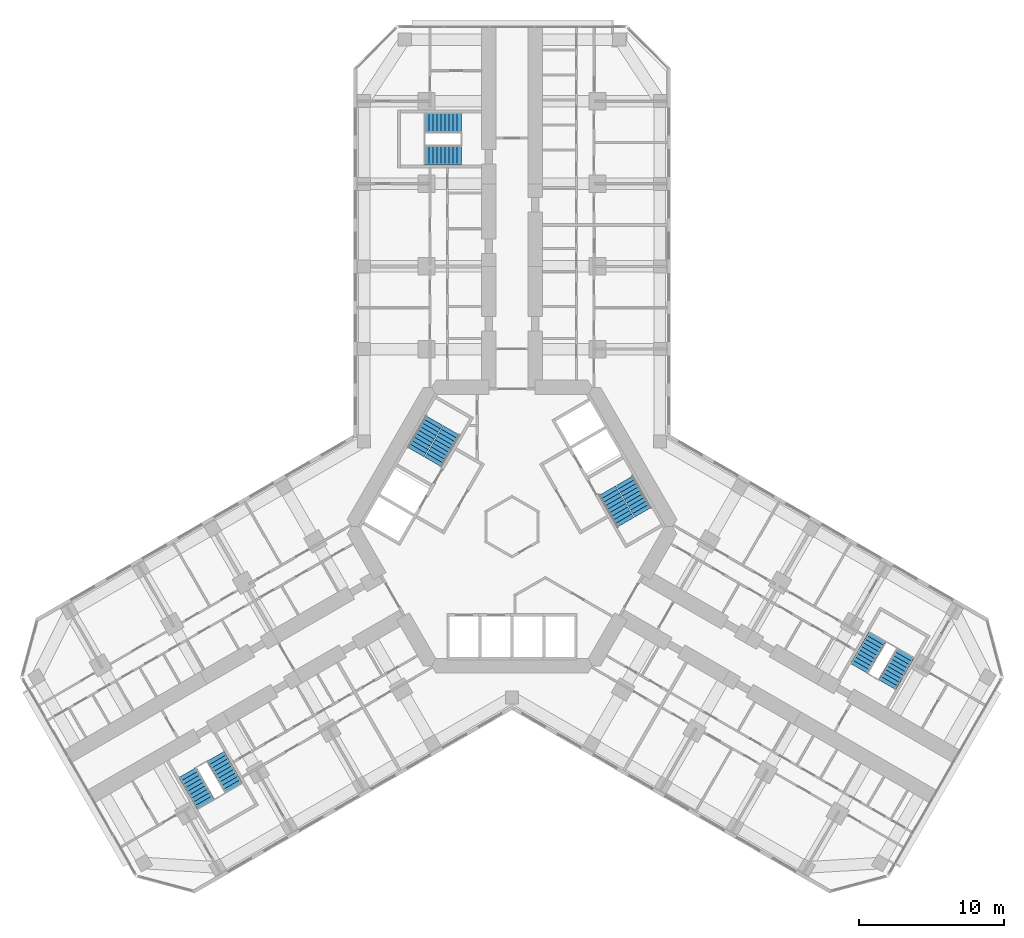
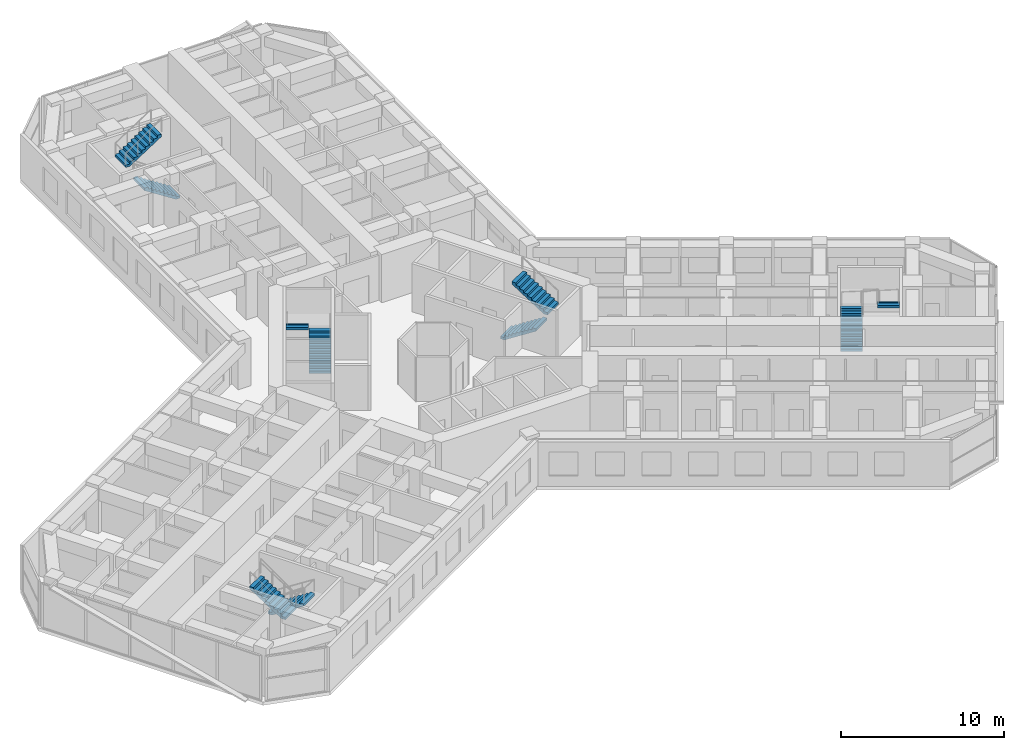
# One storey, part 20 of 21: 10 stair flights, 5 elements without a shape of their own.
"""IFC4 building model written with IfcOpenShell, lengths in metres."""

from ifc_helpers import new_model, si_unit, direction, frame, origin, place, context, subcontext, project, spatial, polyline, outline, extrude, material, type_object, element, aggregate, save


model = new_model("IFC4")

# Units and contexts
model_context = context("Model", 3, precision=1e-05, world=origin(), true_north=direction((0.0, 1.0)))
body_context = subcontext(model_context, "Body", "Model", "MODEL_VIEW")
ifc_project = project(units=[si_unit("LENGTHUNIT", "METRE"), si_unit("AREAUNIT", "SQUARE_METRE"), si_unit("VOLUMEUNIT", "CUBIC_METRE"), si_unit("PLANEANGLEUNIT", "RADIAN"), si_unit("MASSUNIT", "GRAM", prefix="KILO")], contexts=[model_context])

# Site, building, storey
site_placement = place(None, origin())
site = spatial("IfcSite", under=ifc_project, at=site_placement, CompositionType="ELEMENT")
building_placement = place(site_placement, origin())
building = spatial("IfcBuilding", under=site, at=building_placement, Name="Kosmar Iwan School Tower", CompositionType="ELEMENT")
storey_placement = place(building_placement, frame((0.0, 0.0, 80.800048828125)))
storey = spatial("IfcBuildingStorey", under=building, at=storey_placement, Name="L19", CompositionType="ELEMENT", Elevation=80.800048828125)

# Stair, stair flights
ifc_material_1 = material(Name="Concrete C35/45", Category="concrete")
stair_type_1 = type_object("IfcStairType", Name="Escape stair 3600", PredefinedType="HALF_TURN_STAIR", material=ifc_material_1)
stair_1_placement = place(storey_placement, origin())
stair_1 = element("IfcStair", 1, at=stair_1_placement, inside=storey, type_object=stair_type_1, Name="Stair WS1 L19", PredefinedType="HALF_TURN_STAIR")
ifc_material_2 = material(Name="Concrete C35/45", Category="concrete")
stair_flight_type_1 = type_object("IfcStairFlightType", Name="Escape stair flight 1350", PredefinedType="STRAIGHT", material=ifc_material_2)
stair_flight_1_placement = place(storey_placement, frame((-3.5, 25.625, 0.0), z_axis=(0.0, 0.0, 1.0), x_axis=(-1.0, 0.0, 0.0)))
stair_flight_1 = element("IfcStairFlight", 2, at=stair_flight_1_placement, type_object=stair_flight_type_1, Name="WS1 flight 1", NumberOfRisers=10, NumberOfTreads=9, PredefinedType="STRAIGHT", RiserHeight=0.18, TreadLength=0.28, context=body_context, shape_type="SweptSolid", body=[
    extrude(outline(polyline([(0.0, 0.0), (0.0, 0.179931640625), (0.280029296875, 0.179931640625), (0.280029296875, 0.360107421875), (0.56005859375, 0.360107421875), (0.56005859375, 0.5400390625), (0.840087890625, 0.5400390625), (0.840087890625, 0.719970703125), (1.1201171875, 0.719970703125), (1.1201171875, 0.89990234375), (1.39990234375, 0.89990234375), (1.39990234375, 1.080078125), (1.679931640625, 1.080078125), (1.679931640625, 1.260009765625), (1.9599609375, 1.260009765625), (1.9599609375, 1.43994140625), (2.239990234375, 1.43994140625), (2.239990234375, 1.6201171875), (2.52001953125, 1.6201171875), (2.52001953125, 1.800048828125), (2.52001953125, 1.44189453125), (0.277099609375, 0.0), (0.0, 0.0)])), frame((0.0, 0.675048828125, 0.0), z_axis=(0.0, -1.0, 0.0), x_axis=(1.0, 0.0, 0.0)), (0.0, 0.0, 1.0), 1.35009765625),
])
stair_flight_2_placement = place(storey_placement, frame((-6.02001953125, 27.875, 1.800048828125), z_axis=(0.0, 0.0, 1.0), x_axis=(1.0, 0.0, 0.0)))
stair_flight_2 = element("IfcStairFlight", 3, at=stair_flight_2_placement, type_object=stair_flight_type_1, Name="WS1 flight 2", NumberOfRisers=10, NumberOfTreads=9, PredefinedType="STRAIGHT", RiserHeight=0.18, TreadLength=0.28, context=body_context, shape_type="SweptSolid", body=[
    extrude(outline(polyline([(0.0, 0.0), (0.0, 0.179931640625), (0.280029296875, 0.179931640625), (0.280029296875, 0.360107421875), (0.56005859375, 0.360107421875), (0.56005859375, 0.5400390625), (0.840087890625, 0.5400390625), (0.840087890625, 0.719970703125), (1.1201171875, 0.719970703125), (1.1201171875, 0.89990234375), (1.39990234375, 0.89990234375), (1.39990234375, 1.080078125), (1.679931640625, 1.080078125), (1.679931640625, 1.260009765625), (1.9599609375, 1.260009765625), (1.9599609375, 1.43994140625), (2.239990234375, 1.43994140625), (2.239990234375, 1.6201171875), (2.52001953125, 1.6201171875), (2.52001953125, 1.800048828125), (2.52001953125, 1.44189453125), (0.277099609375, 0.0), (0.0, 0.0)])), frame((0.0, 0.675048828125, 0.0), z_axis=(0.0, -1.0, 0.0), x_axis=(1.0, 0.0, 0.0)), (0.0, 0.0, 1.0), 1.35009765625),
])
aggregate(stair_1, [stair_flight_1, stair_flight_2])

stair_2_placement = place(storey_placement, origin())
stair_2 = element("IfcStair", 4, at=stair_2_placement, inside=storey, type_object=stair_type_1, Name="Stair WS2 L19", PredefinedType="HALF_TURN_STAIR")
stair_flight_3_placement = place(storey_placement, frame((-20.44189453125, -15.843505859375, 0.0), z_axis=(0.0, 0.0, 1.0), x_axis=(0.5, -0.866025403784, 0.0)))
stair_flight_3 = element("IfcStairFlight", 5, at=stair_flight_3_placement, type_object=stair_flight_type_1, Name="WS2 flight 1", NumberOfRisers=10, NumberOfTreads=9, PredefinedType="STRAIGHT", RiserHeight=0.18, TreadLength=0.28, context=body_context, shape_type="SweptSolid", body=[
    extrude(outline(polyline([(0.0, 0.0), (0.0, 0.179931640625), (0.280029296875, 0.179931640625), (0.280029296875, 0.360107421875), (0.56005859375, 0.360107421875), (0.56005859375, 0.5400390625), (0.840087890625, 0.5400390625), (0.840087890625, 0.719970703125), (1.1201171875, 0.719970703125), (1.1201171875, 0.89990234375), (1.39990234375, 0.89990234375), (1.39990234375, 1.080078125), (1.679931640625, 1.080078125), (1.679931640625, 1.260009765625), (1.9599609375, 1.260009765625), (1.9599609375, 1.43994140625), (2.239990234375, 1.43994140625), (2.239990234375, 1.6201171875), (2.52001953125, 1.6201171875), (2.52001953125, 1.800048828125), (2.52001953125, 1.44189453125), (0.277099609375, 0.0), (0.0, 0.0)])), frame((0.0, 0.675048828125, 0.0), z_axis=(0.0, -1.0, 0.0), x_axis=(1.0, 0.0, 0.0)), (0.0, 0.0, 1.0), 1.35009765625),
])
stair_flight_4_placement = place(storey_placement, frame((-21.13037109375, -19.15087890625, 1.800048828125), z_axis=(0.0, 0.0, 1.0), x_axis=(-0.5, 0.866025403784, 0.0)))
stair_flight_4 = element("IfcStairFlight", 6, at=stair_flight_4_placement, type_object=stair_flight_type_1, Name="WS2 flight 2", NumberOfRisers=10, NumberOfTreads=9, PredefinedType="STRAIGHT", RiserHeight=0.18, TreadLength=0.28, context=body_context, shape_type="SweptSolid", body=[
    extrude(outline(polyline([(0.0, 0.0), (0.0, 0.179931640625), (0.280029296875, 0.179931640625), (0.280029296875, 0.360107421875), (0.56005859375, 0.360107421875), (0.56005859375, 0.5400390625), (0.840087890625, 0.5400390625), (0.840087890625, 0.719970703125), (1.1201171875, 0.719970703125), (1.1201171875, 0.89990234375), (1.39990234375, 0.89990234375), (1.39990234375, 1.080078125), (1.679931640625, 1.080078125), (1.679931640625, 1.260009765625), (1.9599609375, 1.260009765625), (1.9599609375, 1.43994140625), (2.239990234375, 1.43994140625), (2.239990234375, 1.6201171875), (2.52001953125, 1.6201171875), (2.52001953125, 1.800048828125), (2.52001953125, 1.44189453125), (0.277099609375, 0.0), (0.0, 0.0)])), frame((0.0, 0.675048828125, 0.0), z_axis=(0.0, -1.0, 0.0), x_axis=(1.0, 0.0, 0.0)), (0.0, 0.0, 1.0), 1.35009765625),
])
aggregate(stair_2, [stair_flight_3, stair_flight_4])

stair_3_placement = place(storey_placement, origin())
stair_3 = element("IfcStair", 7, at=stair_3_placement, inside=storey, type_object=stair_type_1, Name="Stair WS3 L19", PredefinedType="HALF_TURN_STAIR")
stair_flight_5_placement = place(storey_placement, frame((23.94189453125, -9.781494140625, 0.0), z_axis=(0.0, 0.0, 1.0), x_axis=(0.5, 0.866025403784, 0.0)))
stair_flight_5 = element("IfcStairFlight", 8, at=stair_flight_5_placement, type_object=stair_flight_type_1, Name="WS3 flight 1", NumberOfRisers=10, NumberOfTreads=9, PredefinedType="STRAIGHT", RiserHeight=0.18, TreadLength=0.28, context=body_context, shape_type="SweptSolid", body=[
    extrude(outline(polyline([(0.0, 0.0), (0.0, 0.179931640625), (0.280029296875, 0.179931640625), (0.280029296875, 0.360107421875), (0.56005859375, 0.360107421875), (0.56005859375, 0.5400390625), (0.840087890625, 0.5400390625), (0.840087890625, 0.719970703125), (1.1201171875, 0.719970703125), (1.1201171875, 0.89990234375), (1.39990234375, 0.89990234375), (1.39990234375, 1.080078125), (1.679931640625, 1.080078125), (1.679931640625, 1.260009765625), (1.9599609375, 1.260009765625), (1.9599609375, 1.43994140625), (2.239990234375, 1.43994140625), (2.239990234375, 1.6201171875), (2.52001953125, 1.6201171875), (2.52001953125, 1.800048828125), (2.52001953125, 1.44189453125), (0.277099609375, 0.0), (0.0, 0.0)])), frame((0.0, 0.675048828125, 0.0), z_axis=(0.0, -1.0, 0.0), x_axis=(1.0, 0.0, 0.0)), (0.0, 0.0, 1.0), 1.35009765625),
])
stair_flight_6_placement = place(storey_placement, frame((27.150390625, -8.72412109375, 1.800048828125), z_axis=(0.0, 0.0, 1.0), x_axis=(-0.5, -0.866025403784, 0.0)))
stair_flight_6 = element("IfcStairFlight", 9, at=stair_flight_6_placement, type_object=stair_flight_type_1, Name="WS3 flight 2", NumberOfRisers=10, NumberOfTreads=9, PredefinedType="STRAIGHT", RiserHeight=0.18, TreadLength=0.28, context=body_context, shape_type="SweptSolid", body=[
    extrude(outline(polyline([(0.0, 0.0), (0.0, 0.179931640625), (0.280029296875, 0.179931640625), (0.280029296875, 0.360107421875), (0.56005859375, 0.360107421875), (0.56005859375, 0.5400390625), (0.840087890625, 0.5400390625), (0.840087890625, 0.719970703125), (1.1201171875, 0.719970703125), (1.1201171875, 0.89990234375), (1.39990234375, 0.89990234375), (1.39990234375, 1.080078125), (1.679931640625, 1.080078125), (1.679931640625, 1.260009765625), (1.9599609375, 1.260009765625), (1.9599609375, 1.43994140625), (2.239990234375, 1.43994140625), (2.239990234375, 1.6201171875), (2.52001953125, 1.6201171875), (2.52001953125, 1.800048828125), (2.52001953125, 1.44189453125), (0.277099609375, 0.0), (0.0, 0.0)])), frame((0.0, 0.675048828125, 0.0), z_axis=(0.0, -1.0, 0.0), x_axis=(1.0, 0.0, 0.0)), (0.0, 0.0, 1.0), 1.35009765625),
])
aggregate(stair_3, [stair_flight_5, stair_flight_6])

ifc_material_3 = material(Name="Concrete C35/45", Category="concrete")
stair_type_2 = type_object("IfcStairType", Name="Core stair 2750", PredefinedType="HALF_TURN_STAIR", material=ifc_material_3)
stair_4_placement = place(storey_placement, origin())
stair_4 = element("IfcStair", 10, at=stair_4_placement, inside=storey, type_object=stair_type_2, Name="Stair ST2 L19", PredefinedType="HALF_TURN_STAIR")
ifc_material_4 = material(Name="Concrete C35/45", Category="concrete")
stair_flight_type_2 = type_object("IfcStairFlightType", Name="Stair flight 1350", PredefinedType="STRAIGHT", material=ifc_material_4)
stair_flight_7_placement = place(storey_placement, frame((-5.42724609375, 4.44970703125, 0.0), z_axis=(0.0, 0.0, 1.0), x_axis=(0.5, 0.866025403784, 0.0)))
stair_flight_7 = element("IfcStairFlight", 11, at=stair_flight_7_placement, type_object=stair_flight_type_2, Name="ST2 flight 1", NumberOfRisers=10, NumberOfTreads=9, PredefinedType="STRAIGHT", RiserHeight=0.18, TreadLength=0.28, context=body_context, shape_type="SweptSolid", body=[
    extrude(outline(polyline([(0.0, 0.0), (0.0, 0.179931640625), (0.280029296875, 0.179931640625), (0.280029296875, 0.360107421875), (0.56005859375, 0.360107421875), (0.56005859375, 0.5400390625), (0.840087890625, 0.5400390625), (0.840087890625, 0.719970703125), (1.1201171875, 0.719970703125), (1.1201171875, 0.89990234375), (1.39990234375, 0.89990234375), (1.39990234375, 1.080078125), (1.679931640625, 1.080078125), (1.679931640625, 1.260009765625), (1.9599609375, 1.260009765625), (1.9599609375, 1.43994140625), (2.239990234375, 1.43994140625), (2.239990234375, 1.6201171875), (2.52001953125, 1.6201171875), (2.52001953125, 1.800048828125), (2.52001953125, 1.44189453125), (0.277099609375, 0.0), (0.0, 0.0)])), frame((0.0, 0.675048828125, 0.0), z_axis=(0.0, -1.0, 0.0), x_axis=(1.0, 0.0, 0.0)), (0.0, 0.0, 1.0), 1.35009765625),
])
stair_flight_8_placement = place(storey_placement, frame((-5.379638671875, 7.33203125, 1.800048828125), z_axis=(0.0, 0.0, 1.0), x_axis=(-0.5, -0.866025403784, 0.0)))
stair_flight_8 = element("IfcStairFlight", 12, at=stair_flight_8_placement, type_object=stair_flight_type_2, Name="ST2 flight 2", NumberOfRisers=10, NumberOfTreads=9, PredefinedType="STRAIGHT", RiserHeight=0.18, TreadLength=0.28, context=body_context, shape_type="SweptSolid", body=[
    extrude(outline(polyline([(0.0, 0.0), (0.0, 0.179931640625), (0.280029296875, 0.179931640625), (0.280029296875, 0.360107421875), (0.56005859375, 0.360107421875), (0.56005859375, 0.5400390625), (0.840087890625, 0.5400390625), (0.840087890625, 0.719970703125), (1.1201171875, 0.719970703125), (1.1201171875, 0.89990234375), (1.39990234375, 0.89990234375), (1.39990234375, 1.080078125), (1.679931640625, 1.080078125), (1.679931640625, 1.260009765625), (1.9599609375, 1.260009765625), (1.9599609375, 1.43994140625), (2.239990234375, 1.43994140625), (2.239990234375, 1.6201171875), (2.52001953125, 1.6201171875), (2.52001953125, 1.800048828125), (2.52001953125, 1.44189453125), (0.277099609375, 0.0), (0.0, 0.0)])), frame((0.0, 0.675048828125, 0.0), z_axis=(0.0, -1.0, 0.0), x_axis=(1.0, 0.0, 0.0)), (0.0, 0.0, 1.0), 1.35009765625),
])
aggregate(stair_4, [stair_flight_7, stair_flight_8])

stair_5_placement = place(storey_placement, origin())
stair_5 = element("IfcStair", 13, at=stair_5_placement, inside=storey, type_object=stair_type_2, Name="Stair ST1 L19", PredefinedType="HALF_TURN_STAIR")
stair_flight_9_placement = place(storey_placement, frame((6.567138671875, 2.475341796875, 0.0), z_axis=(0.0, 0.0, 1.0), x_axis=(0.5, -0.866025403784, 0.0)))
stair_flight_9 = element("IfcStairFlight", 14, at=stair_flight_9_placement, type_object=stair_flight_type_2, Name="ST1 flight 1", NumberOfRisers=10, NumberOfTreads=9, PredefinedType="STRAIGHT", RiserHeight=0.18, TreadLength=0.28, context=body_context, shape_type="SweptSolid", body=[
    extrude(outline(polyline([(0.0, 0.0), (0.0, 0.179931640625), (0.280029296875, 0.179931640625), (0.280029296875, 0.360107421875), (0.56005859375, 0.360107421875), (0.56005859375, 0.5400390625), (0.840087890625, 0.5400390625), (0.840087890625, 0.719970703125), (1.1201171875, 0.719970703125), (1.1201171875, 0.89990234375), (1.39990234375, 0.89990234375), (1.39990234375, 1.080078125), (1.679931640625, 1.080078125), (1.679931640625, 1.260009765625), (1.9599609375, 1.260009765625), (1.9599609375, 1.43994140625), (2.239990234375, 1.43994140625), (2.239990234375, 1.6201171875), (2.52001953125, 1.6201171875), (2.52001953125, 1.800048828125), (2.52001953125, 1.44189453125), (0.277099609375, 0.0), (0.0, 0.0)])), frame((0.0, 0.675048828125, 0.0), z_axis=(0.0, -1.0, 0.0), x_axis=(1.0, 0.0, 0.0)), (0.0, 0.0, 1.0), 1.35009765625),
])
stair_flight_10_placement = place(storey_placement, frame((9.03955078125, 0.992919921875, 1.800048828125), z_axis=(0.0, 0.0, 1.0), x_axis=(-0.5, 0.866025403784, 0.0)))
stair_flight_10 = element("IfcStairFlight", 15, at=stair_flight_10_placement, type_object=stair_flight_type_2, Name="ST1 flight 2", NumberOfRisers=10, NumberOfTreads=9, PredefinedType="STRAIGHT", RiserHeight=0.18, TreadLength=0.28, context=body_context, shape_type="SweptSolid", body=[
    extrude(outline(polyline([(0.0, 0.0), (0.0, 0.179931640625), (0.280029296875, 0.179931640625), (0.280029296875, 0.360107421875), (0.56005859375, 0.360107421875), (0.56005859375, 0.5400390625), (0.840087890625, 0.5400390625), (0.840087890625, 0.719970703125), (1.1201171875, 0.719970703125), (1.1201171875, 0.89990234375), (1.39990234375, 0.89990234375), (1.39990234375, 1.080078125), (1.679931640625, 1.080078125), (1.679931640625, 1.260009765625), (1.9599609375, 1.260009765625), (1.9599609375, 1.43994140625), (2.239990234375, 1.43994140625), (2.239990234375, 1.6201171875), (2.52001953125, 1.6201171875), (2.52001953125, 1.800048828125), (2.52001953125, 1.44189453125), (0.277099609375, 0.0), (0.0, 0.0)])), frame((0.0, 0.675048828125, 0.0), z_axis=(0.0, -1.0, 0.0), x_axis=(1.0, 0.0, 0.0)), (0.0, 0.0, 1.0), 1.35009765625),
])
aggregate(stair_5, [stair_flight_9, stair_flight_10])

save(model, "model.ifc")
